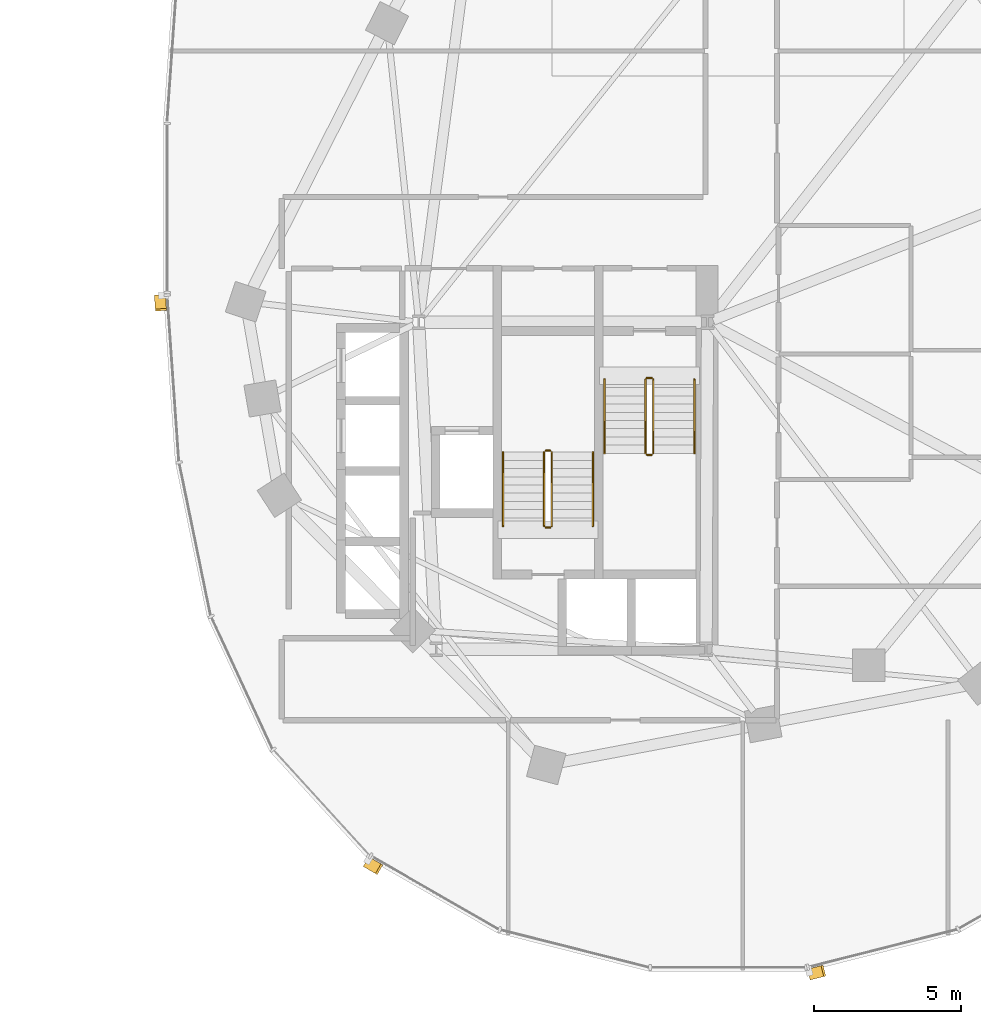
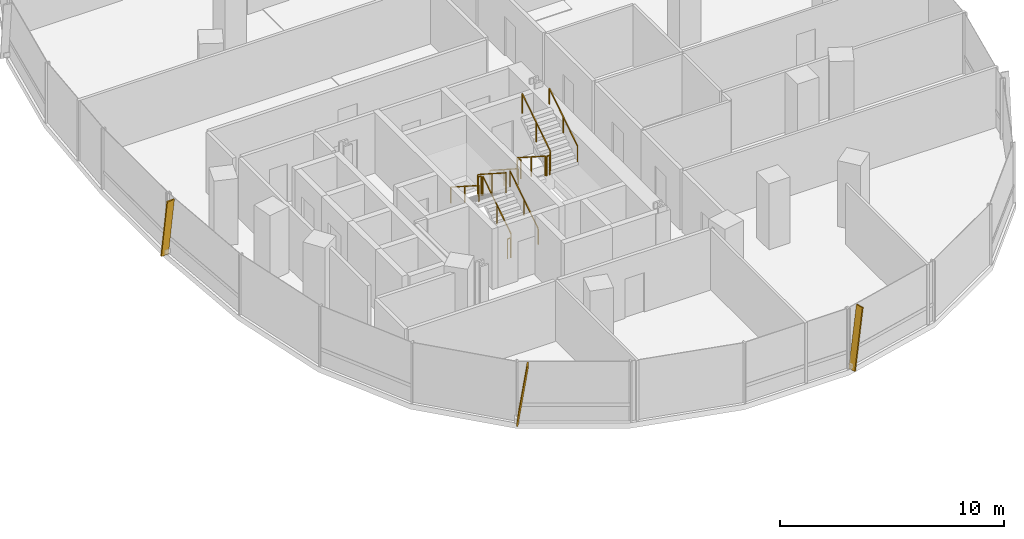
# One storey, part 20 of 21: 12 railings, 3 shading devices.
"""IFC4 building model written with IfcOpenShell, lengths in metres."""

from ifc_helpers import new_model, si_unit, direction, frame, origin, origin_2d, place, context, subcontext, project, spatial, rectangle, extrude, material, material_profile, profile_set, type_object, element, save


model = new_model("IFC4")

# Units and contexts
model_context = context("Model", 3, precision=1e-05, world=origin(), true_north=direction((0.0, 1.0)))
body_context = subcontext(model_context, "Body", "Model", "MODEL_VIEW")
ifc_project = project(units=[si_unit("LENGTHUNIT", "METRE"), si_unit("AREAUNIT", "SQUARE_METRE"), si_unit("VOLUMEUNIT", "CUBIC_METRE"), si_unit("PLANEANGLEUNIT", "RADIAN"), si_unit("MASSUNIT", "GRAM", prefix="KILO"), si_unit("THERMODYNAMICTEMPERATUREUNIT", "KELVIN"), si_unit("POWERUNIT", "WATT")], contexts=[model_context])

# Site, building, storey
site_placement = place(None, origin())
site = spatial("IfcSite", under=ifc_project, at=site_placement, CompositionType="ELEMENT")
building_placement = place(site_placement, origin())
building = spatial("IfcBuilding", under=site, at=building_placement, Name="Cundina Bronze Exchange", CompositionType="ELEMENT")
storey_placement = place(building_placement, frame((0.0, 0.0, 114.199951171875)))
storey = spatial("IfcBuildingStorey", under=building, at=storey_placement, Name="L29", CompositionType="ELEMENT", Elevation=114.199951171875)

# Railings
ifc_material_1 = material(Name="Steel ASTM A36 Painted", Category="steel")
railing_type_1 = type_object("IfcRailingType", Name="RLG-HND-900", PredefinedType="HANDRAIL", material=ifc_material_1)
railing_1_placement = place(storey_placement, frame((27.7900390625, -5.85009765625, 0.179931640625)))
element("IfcRailing", 1, at=railing_1_placement, inside=storey, type_object=railing_type_1, Name="L29 ST-E1 stair handrail 1", PredefinedType="HANDRAIL", context=body_context, shape_type="SweptSolid", body=[
    extrude(rectangle(XDim=0.048095703125, YDim=0.048095703125, at=origin_2d()), frame((0.0, 0.0, 0.8759765625), z_axis=(0.0, -0.841162588446, 0.540782303519), x_axis=(1.0, 0.0, 0.0)), (0.0, 0.0, 1.0), 2.995849609375),
    extrude(rectangle(XDim=0.0419921875, YDim=0.0419921875, at=origin_2d()), origin(), (0.0, 0.0, 1.0), 0.851806640625),
    extrude(rectangle(XDim=0.0419921875, YDim=0.0419921875, at=origin_2d()), frame((0.0, -1.260009765625, 0.81005859375)), (0.0, 0.0, 1.0), 0.851806640625),
    extrude(rectangle(XDim=0.0419921875, YDim=0.0419921875, at=origin_2d()), frame((0.0, -2.52001953125, 1.6201171875)), (0.0, 0.0, 1.0), 0.851806640625),
])
for number, where, name in (
    (2, (30.85009765625, -8.3701171875, 1.97998046875), "L29 ST-E1 stair handrail 2"),
    (3, (27.389892578125, -10.85009765625, 0.179931640625), "L29 ST-E2 stair handrail 1"),
):
    element("IfcRailing", number, at=place(storey_placement, frame(where)), inside=storey, type_object=railing_type_1, Name=name, PredefinedType="HANDRAIL", context=body_context, shape_type="SweptSolid", body=[
        extrude(rectangle(XDim=0.048095703125, YDim=0.048095703125, at=origin_2d()), frame((0.0, 0.0, 0.8759765625), z_axis=(0.0, 0.841162588446, 0.540782303519), x_axis=(-1.0, 0.0, 0.0)), (0.0, 0.0, 1.0), 2.995849609375),
        extrude(rectangle(XDim=0.0419921875, YDim=0.0419921875, at=origin_2d()), origin(), (0.0, 0.0, 1.0), 0.851806640625),
        extrude(rectangle(XDim=0.0419921875, YDim=0.0419921875, at=origin_2d()), frame((0.0, 1.260009765625, 0.81005859375)), (0.0, 0.0, 1.0), 0.851806640625),
        extrude(rectangle(XDim=0.0419921875, YDim=0.0419921875, at=origin_2d()), frame((0.0, 2.52001953125, 1.6201171875)), (0.0, 0.0, 1.0), 0.851806640625),
    ])
railing_2_placement = place(storey_placement, frame((24.330078125, -8.330078125, 1.97998046875)))
element("IfcRailing", 4, at=railing_2_placement, inside=storey, type_object=railing_type_1, Name="L29 ST-E2 stair handrail 2", PredefinedType="HANDRAIL", context=body_context, shape_type="SweptSolid", body=[
    extrude(rectangle(XDim=0.048095703125, YDim=0.048095703125, at=origin_2d()), frame((0.0, 0.0, 0.8759765625), z_axis=(0.0, -0.841162588446, 0.540782303519), x_axis=(1.0, 0.0, 0.0)), (0.0, 0.0, 1.0), 2.995849609375),
    extrude(rectangle(XDim=0.0419921875, YDim=0.0419921875, at=origin_2d()), origin(), (0.0, 0.0, 1.0), 0.851806640625),
    extrude(rectangle(XDim=0.0419921875, YDim=0.0419921875, at=origin_2d()), frame((0.0, -1.260009765625, 0.81005859375)), (0.0, 0.0, 1.0), 0.851806640625),
    extrude(rectangle(XDim=0.0419921875, YDim=0.0419921875, at=origin_2d()), frame((0.0, -2.52001953125, 1.6201171875)), (0.0, 0.0, 1.0), 0.851806640625),
])
railing_type_2 = type_object("IfcRailingType", Name="RLG-STG-1100", PredefinedType="GUARDRAIL", material=ifc_material_1)
railing_3_placement = place(storey_placement, frame((29.18994140625, -5.85009765625, 0.179931640625)))
element("IfcRailing", 5, at=railing_3_placement, inside=storey, type_object=railing_type_2, Name="L29 ST-E1 stair guard 1", PredefinedType="GUARDRAIL", context=body_context, shape_type="SweptSolid", body=[
    extrude(rectangle(XDim=0.048095703125, YDim=0.048095703125, at=origin_2d()), frame((0.0, 0.0, 1.076171875), z_axis=(0.0, -0.841162588446, 0.540782303519), x_axis=(1.0, 0.0, 0.0)), (0.0, 0.0, 1.0), 2.995849609375),
    extrude(rectangle(XDim=0.0419921875, YDim=0.0419921875, at=origin_2d()), origin(), (0.0, 0.0, 1.0), 1.052001953125),
    extrude(rectangle(XDim=0.0419921875, YDim=0.0419921875, at=origin_2d()), frame((0.0, -1.260009765625, 0.81005859375)), (0.0, 0.0, 1.0), 1.052001953125),
    extrude(rectangle(XDim=0.0419921875, YDim=0.0419921875, at=origin_2d()), frame((0.0, -2.52001953125, 1.6201171875)), (0.0, 0.0, 1.0), 1.052001953125),
])
railing_4_placement = place(storey_placement, frame((29.239990234375, -8.419921875, 1.800048828125)))
element("IfcRailing", 6, at=railing_4_placement, inside=storey, type_object=railing_type_2, Name="L29 ST-E1 stair guard 2", PredefinedType="GUARDRAIL", context=body_context, shape_type="SweptSolid", body=[
    extrude(rectangle(XDim=0.048095703125, YDim=0.048095703125, at=origin_2d()), frame((0.0, 0.0, 1.076171875), z_axis=(1.0, 0.0, 0.0), x_axis=(0.0, 1.0, 0.0)), (0.0, 0.0, 1.0), 0.159912109375),
    extrude(rectangle(XDim=0.0419921875, YDim=0.0419921875, at=origin_2d()), origin(), (0.0, 0.0, 1.0), 1.052001953125),
    extrude(rectangle(XDim=0.0419921875, YDim=0.0419921875, at=origin_2d()), frame((0.159912109375, 0.0, 0.0)), (0.0, 0.0, 1.0), 1.052001953125),
])
railing_5_placement = place(storey_placement, frame((29.449951171875, -8.3701171875, 1.97998046875)))
element("IfcRailing", 7, at=railing_5_placement, inside=storey, type_object=railing_type_2, Name="L29 ST-E1 stair guard 3", PredefinedType="GUARDRAIL", context=body_context, shape_type="SweptSolid", body=[
    extrude(rectangle(XDim=0.048095703125, YDim=0.048095703125, at=origin_2d()), frame((0.0, 0.0, 1.076171875), z_axis=(0.0, 0.841162588446, 0.540782303519), x_axis=(-1.0, 0.0, 0.0)), (0.0, 0.0, 1.0), 2.995849609375),
    extrude(rectangle(XDim=0.0419921875, YDim=0.0419921875, at=origin_2d()), origin(), (0.0, 0.0, 1.0), 1.052001953125),
    extrude(rectangle(XDim=0.0419921875, YDim=0.0419921875, at=origin_2d()), frame((0.0, 1.260009765625, 0.81005859375)), (0.0, 0.0, 1.0), 1.052001953125),
    extrude(rectangle(XDim=0.0419921875, YDim=0.0419921875, at=origin_2d()), frame((0.0, 2.52001953125, 1.6201171875)), (0.0, 0.0, 1.0), 1.052001953125),
])
railing_6_placement = place(storey_placement, frame((29.239990234375, -5.800048828125, 0.0)))
element("IfcRailing", 8, at=railing_6_placement, inside=storey, type_object=railing_type_2, Name="L29 ST-E1 stair guard 4", PredefinedType="GUARDRAIL", context=body_context, shape_type="SweptSolid", body=[
    extrude(rectangle(XDim=0.048095703125, YDim=0.048095703125, at=origin_2d()), frame((0.0, 0.0, 1.076171875), z_axis=(1.0, 0.0, 0.0), x_axis=(0.0, 1.0, 0.0)), (0.0, 0.0, 1.0), 0.159912109375),
    extrude(rectangle(XDim=0.0419921875, YDim=0.0419921875, at=origin_2d()), origin(), (0.0, 0.0, 1.0), 1.052001953125),
    extrude(rectangle(XDim=0.0419921875, YDim=0.0419921875, at=origin_2d()), frame((0.159912109375, 0.0, 0.0)), (0.0, 0.0, 1.0), 1.052001953125),
])
railing_7_placement = place(storey_placement, frame((25.989990234375, -10.85009765625, 0.179931640625)))
element("IfcRailing", 9, at=railing_7_placement, inside=storey, type_object=railing_type_2, Name="L29 ST-E2 stair guard 1", PredefinedType="GUARDRAIL", context=body_context, shape_type="SweptSolid", body=[
    extrude(rectangle(XDim=0.048095703125, YDim=0.048095703125, at=origin_2d()), frame((0.0, 0.0, 1.076171875), z_axis=(0.0, 0.841162588446, 0.540782303519), x_axis=(-1.0, 0.0, 0.0)), (0.0, 0.0, 1.0), 2.995849609375),
    extrude(rectangle(XDim=0.0419921875, YDim=0.0419921875, at=origin_2d()), origin(), (0.0, 0.0, 1.0), 1.052001953125),
    extrude(rectangle(XDim=0.0419921875, YDim=0.0419921875, at=origin_2d()), frame((0.0, 1.260009765625, 0.81005859375)), (0.0, 0.0, 1.0), 1.052001953125),
    extrude(rectangle(XDim=0.0419921875, YDim=0.0419921875, at=origin_2d()), frame((0.0, 2.52001953125, 1.6201171875)), (0.0, 0.0, 1.0), 1.052001953125),
])
railing_8_placement = place(storey_placement, frame((25.93994140625, -8.280029296875, 1.800048828125)))
element("IfcRailing", 10, at=railing_8_placement, inside=storey, type_object=railing_type_2, Name="L29 ST-E2 stair guard 2", PredefinedType="GUARDRAIL", context=body_context, shape_type="SweptSolid", body=[
    extrude(rectangle(XDim=0.048095703125, YDim=0.048095703125, at=origin_2d()), frame((0.0, 0.0, 1.076171875), z_axis=(-1.0, 0.0, 0.0), x_axis=(0.0, -1.0, 0.0)), (0.0, 0.0, 1.0), 0.159912109375),
    extrude(rectangle(XDim=0.0419921875, YDim=0.0419921875, at=origin_2d()), origin(), (0.0, 0.0, 1.0), 1.052001953125),
    extrude(rectangle(XDim=0.0419921875, YDim=0.0419921875, at=origin_2d()), frame((-0.159912109375, 0.0, 0.0)), (0.0, 0.0, 1.0), 1.052001953125),
])
railing_9_placement = place(storey_placement, frame((25.72998046875, -8.330078125, 1.97998046875)))
element("IfcRailing", 11, at=railing_9_placement, inside=storey, type_object=railing_type_2, Name="L29 ST-E2 stair guard 3", PredefinedType="GUARDRAIL", context=body_context, shape_type="SweptSolid", body=[
    extrude(rectangle(XDim=0.048095703125, YDim=0.048095703125, at=origin_2d()), frame((0.0, 0.0, 1.076171875), z_axis=(0.0, -0.841162588446, 0.540782303519), x_axis=(1.0, 0.0, 0.0)), (0.0, 0.0, 1.0), 2.995849609375),
    extrude(rectangle(XDim=0.0419921875, YDim=0.0419921875, at=origin_2d()), origin(), (0.0, 0.0, 1.0), 1.052001953125),
    extrude(rectangle(XDim=0.0419921875, YDim=0.0419921875, at=origin_2d()), frame((0.0, -1.260009765625, 0.81005859375)), (0.0, 0.0, 1.0), 1.052001953125),
    extrude(rectangle(XDim=0.0419921875, YDim=0.0419921875, at=origin_2d()), frame((0.0, -2.52001953125, 1.6201171875)), (0.0, 0.0, 1.0), 1.052001953125),
])
railing_10_placement = place(storey_placement, frame((25.93994140625, -10.89990234375, 0.0)))
element("IfcRailing", 12, at=railing_10_placement, inside=storey, type_object=railing_type_2, Name="L29 ST-E2 stair guard 4", PredefinedType="GUARDRAIL", context=body_context, shape_type="SweptSolid", body=[
    extrude(rectangle(XDim=0.048095703125, YDim=0.048095703125, at=origin_2d()), frame((0.0, 0.0, 1.076171875), z_axis=(-1.0, 0.0, 0.0), x_axis=(0.0, -1.0, 0.0)), (0.0, 0.0, 1.0), 0.159912109375),
    extrude(rectangle(XDim=0.0419921875, YDim=0.0419921875, at=origin_2d()), origin(), (0.0, 0.0, 1.0), 1.052001953125),
    extrude(rectangle(XDim=0.0419921875, YDim=0.0419921875, at=origin_2d()), frame((-0.159912109375, 0.0, 0.0)), (0.0, 0.0, 1.0), 1.052001953125),
])

# Shading devices
ifc_material_2 = material(Name="Anodised Bronze Aluminium 6063-T6", Category="aluminium")
ifc_material_profile = material_profile(ifc_material_2, rectangle(XDim=0.070068359375, YDim=0.3798828125, at=origin_2d()), Name="FIN70X380", Category="aluminium")
ifc_profile_set = profile_set([ifc_material_profile], Name="Anodised Bronze Aluminium 6063-T6")
shading_device_type = type_object("IfcShadingDeviceType", Name="SHD-FIN-BRZ380", PredefinedType="USERDEFINED", material=ifc_profile_set)
for number, where, z_axis, x_axis, name in (
    (13, (12.6259765625, -2.993896484375, 0.02001953125), (0.010224545828, -0.145292278041, 0.989335945271), (-0.069450050635, 0.986895284755, 0.145651595925), "L29 Diagonal Bronze Solar Fin 1"),
    (14, (19.685791015625, -22.314208984375, 0.02001953125), (0.126324692219, -0.072534823274, 0.989333498649), (-0.857958278167, 0.492634108109, 0.145668213594), "L29 Diagonal Bronze Solar Fin 5"),
    (15, (34.787353515625, -26.138427734375, 0.02001953125), (0.141217047268, 0.035711761166, 0.989334329575), (-0.95914051701, -0.242552848478, 0.145662570088), "L29 Diagonal Bronze Solar Fin 1"),
):
    element("IfcShadingDevice", number, at=place(storey_placement, frame(where, z_axis=z_axis, x_axis=x_axis)), inside=storey, type_object=shading_device_type, Name=name, ObjectType="FIN", PredefinedType="USERDEFINED", context=body_context, shape_type="SweptSolid", body=[
        extrude(rectangle(XDim=0.070068359375, YDim=0.3798828125, at=origin_2d()), origin(), (0.0, 0.0, 1.0), 3.295166015625),
    ])

save(model, "model.ifc")
